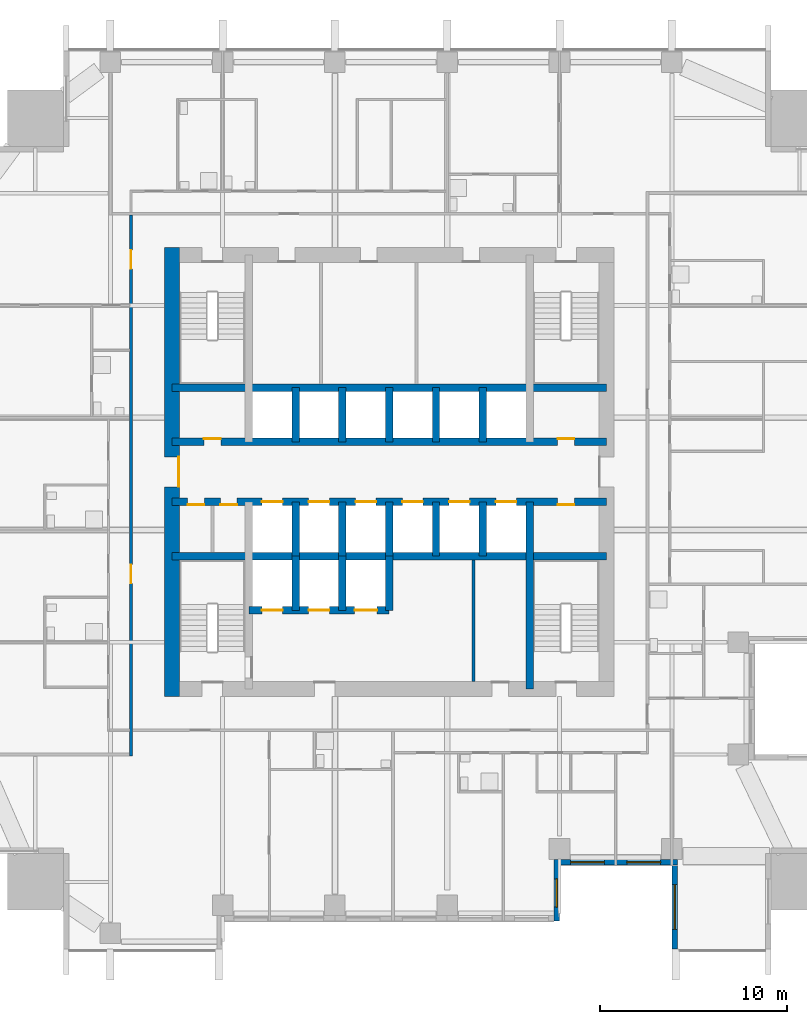
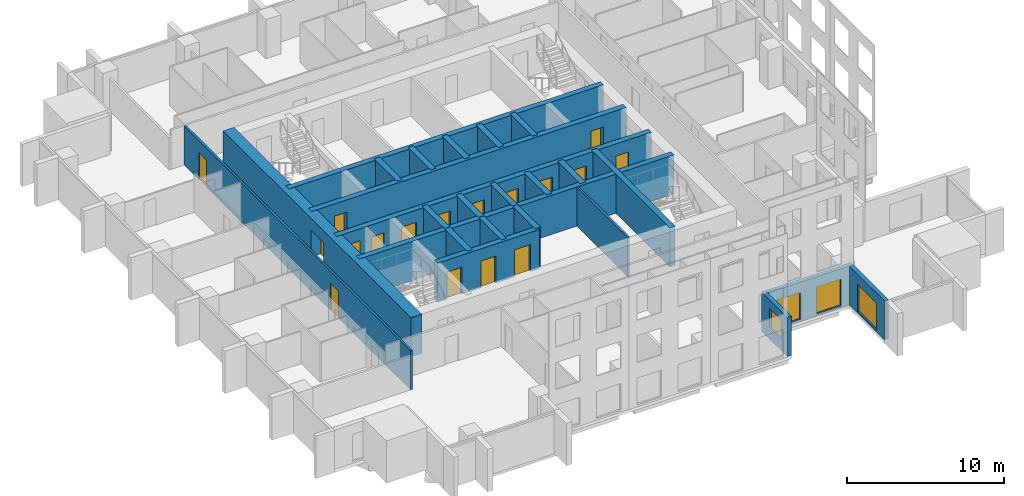
# One storey, part 5 of 13: 25 walls, 17 doors, 4 windows, 21 openings.
"""IFC4 building model written with IfcOpenShell, lengths in metres."""

from ifc_helpers import new_model, si_unit, direction, frame, frame_2d, origin, place, context, subcontext, project, spatial, rectangle, extrude, material, layer, layer_set, type_object, element, fill, save


model = new_model("IFC4")

# Units and contexts
model_context = context("Model", 3, precision=1e-05, world=origin(), true_north=direction((0.0, 1.0)))
body_context = subcontext(model_context, "Body", "Model", "MODEL_VIEW")
ifc_project = project(units=[si_unit("LENGTHUNIT", "METRE"), si_unit("AREAUNIT", "SQUARE_METRE"), si_unit("VOLUMEUNIT", "CUBIC_METRE"), si_unit("PLANEANGLEUNIT", "RADIAN"), si_unit("MASSUNIT", "GRAM", prefix="KILO")], contexts=[model_context])

# Site, building, storey
site_placement = place(None, origin())
site = spatial("IfcSite", under=ifc_project, at=site_placement, CompositionType="ELEMENT")
building_placement = place(site_placement, origin())
building = spatial("IfcBuilding", under=site, at=building_placement, Name="Amberfall Residences", CompositionType="ELEMENT")
storey_placement = place(building_placement, frame((0.0, 0.0, 78.699951171875)))
storey = spatial("IfcBuildingStorey", under=building, at=storey_placement, Name="L20", CompositionType="ELEMENT", Elevation=78.699951171875)

# Wall, opening, window
ifc_material_1 = material(Name="Pale stone cladding on insulated backing", Category="masonry")
ifc_layer_1 = layer(ifc_material_1, 0.300048828125)
ifc_layer_set_1 = layer_set([ifc_layer_1], Name="Bronze clad wall 300")
wall_type_1 = type_object("IfcWallType", Name="Bronze clad wall 300", PredefinedType="SOLIDWALL", material=ifc_layer_set_1)
wall_1_placement = place(storey_placement, frame((83.449951171875, 21.5, 0.0), z_axis=(0.0, 0.0, 1.0), x_axis=(0.0, 1.0, 0.0)))
wall_1 = element("IfcWall", 1, at=wall_1_placement, inside=storey, type_object=wall_type_1, Name="External wall L20 S", PredefinedType="SOLIDWALL", context=body_context, shape_type="SweptSolid", body=[
    extrude(rectangle(XDim=3.300048828125, YDim=0.300048828125, at=frame_2d((1.64990234375, 0.0))), origin(), (0.0, 0.0, 1.0), 3.050048828125),
])
opening_1_placement = place(wall_1_placement, frame((0.75, 0.0, 0.89990234375)))
opening_1 = element("IfcOpeningElement", 2, at=opening_1_placement, cuts=wall_1, Name="Opening WN1", PredefinedType="OPENING", context=body_context, shape_type="SweptSolid", body=[
    extrude(rectangle(XDim=1.5, YDim=1.5, at=frame_2d((0.75, 0.75))), frame((0.0, 0.159912109375, 0.0), z_axis=(0.0, -1.0, 0.0), x_axis=(1.0, 0.0, 0.0)), (0.0, 0.0, 1.0), 0.320068359375),
])
ifc_material_2 = material(Name="Bronze aluminium framed glazing", Category="aluminium")
window_type_1 = type_object("IfcWindowType", Name="Window 1500 x 1500 bronze", PartitioningType="DOUBLE_PANEL_VERTICAL", PredefinedType="WINDOW", material=ifc_material_2)
window_1_placement = place(opening_1_placement, origin())
window_1 = element("IfcWindow", 3, at=window_1_placement, inside=storey, type_object=window_type_1, Name="Window L20 S", OverallHeight=1.5, OverallWidth=1.5, PartitioningType="DOUBLE_PANEL_VERTICAL", PredefinedType="WINDOW", context=body_context, shape_type="SweptSolid", body=[
    extrude(rectangle(XDim=1.5, YDim=1.5, at=frame_2d((0.75, 0.75))), frame((0.0, 0.030029296875, 0.0), z_axis=(0.0, -1.0, 0.0), x_axis=(1.0, 0.0, 0.0)), (0.0, 0.0, 1.0), 0.06005859375),
])
fill(opening_1, window_1)

wall_2_placement = place(storey_placement, frame((89.75, 24.5, 0.0), z_axis=(0.0, 0.0, 1.0), x_axis=(0.0, -1.0, 0.0)))
wall_2 = element("IfcWall", 4, at=wall_2_placement, inside=storey, type_object=wall_type_1, Name="External wall L20 S", PredefinedType="SOLIDWALL", context=body_context, shape_type="SweptSolid", body=[
    extrude(rectangle(XDim=4.5, YDim=0.300048828125, at=frame_2d((2.25, 0.0))), origin(), (0.0, 0.0, 1.0), 3.050048828125),
])
opening_2_placement = place(wall_2_placement, frame((1.050048828125, 0.0, 0.14990234375)))
opening_2 = element("IfcOpeningElement", 5, at=opening_2_placement, cuts=wall_2, Name="Opening WN5", PredefinedType="OPENING", context=body_context, shape_type="SweptSolid", body=[
    extrude(rectangle(XDim=2.39990234375, YDim=2.10009765625, at=frame_2d((1.199951171875, 1.050048828125))), frame((0.0, 0.159912109375, 0.0), z_axis=(0.0, -1.0, 0.0), x_axis=(1.0, 0.0, 0.0)), (0.0, 0.0, 1.0), 0.320068359375),
])
window_type_2 = type_object("IfcWindowType", Name="Glazed opening 2400 x 2100 bronze", PartitioningType="DOUBLE_PANEL_VERTICAL", PredefinedType="WINDOW", material=ifc_material_2)
window_2_placement = place(opening_2_placement, origin())
window_2 = element("IfcWindow", 6, at=window_2_placement, inside=storey, type_object=window_type_2, Name="Window L20 S", OverallHeight=2.10009765625, OverallWidth=2.39990234375, PartitioningType="DOUBLE_PANEL_VERTICAL", PredefinedType="WINDOW", context=body_context, shape_type="SweptSolid", body=[
    extrude(rectangle(XDim=2.39990234375, YDim=2.10009765625, at=frame_2d((1.199951171875, 1.050048828125))), frame((0.0, 0.030029296875, 0.0), z_axis=(0.0, -1.0, 0.0), x_axis=(1.0, 0.0, 0.0)), (0.0, 0.0, 1.0), 0.06005859375),
])
fill(opening_2, window_2)

# Wall, openings, windows
wall_3_placement = place(storey_placement, frame((83.60009765625, 24.64990234375, 0.0), z_axis=(0.0, 0.0, 1.0), x_axis=(1.0, 0.0, 0.0)))
wall_3 = element("IfcWall", 7, at=wall_3_placement, inside=storey, type_object=wall_type_1, Name="Stone wall L20 S", PredefinedType="SOLIDWALL", context=body_context, shape_type="SweptSolid", body=[
    extrude(rectangle(XDim=6.2998046875, YDim=0.300048828125, at=frame_2d((3.14990234375, 0.0))), origin(), (0.0, 0.0, 1.0), 3.050048828125),
])
opening_3_placement = place(wall_3_placement, frame((0.60009765625, 0.0, 0.14990234375)))
opening_3 = element("IfcOpeningElement", 8, at=opening_3_placement, cuts=wall_3, Name="Opening WN6", PredefinedType="OPENING", context=body_context, shape_type="SweptSolid", body=[
    extrude(rectangle(XDim=1.800048828125, YDim=2.10009765625, at=frame_2d((0.89990234375, 1.050048828125))), frame((0.0, 0.159912109375, 0.0), z_axis=(0.0, -1.0, 0.0), x_axis=(1.0, 0.0, 0.0)), (0.0, 0.0, 1.0), 0.320068359375),
])
opening_4_placement = place(wall_3_placement, frame((3.60009765625, 0.0, 0.14990234375)))
opening_4 = element("IfcOpeningElement", 9, at=opening_4_placement, cuts=wall_3, Name="Opening WN6", PredefinedType="OPENING", context=body_context, shape_type="SweptSolid", body=[
    extrude(rectangle(XDim=1.800048828125, YDim=2.10009765625, at=frame_2d((0.89990234375, 1.050048828125))), frame((0.0, 0.159912109375, 0.0), z_axis=(0.0, -1.0, 0.0), x_axis=(1.0, 0.0, 0.0)), (0.0, 0.0, 1.0), 0.320068359375),
])
window_type_3 = type_object("IfcWindowType", Name="Glazed opening 1800 x 2100 bronze", PartitioningType="DOUBLE_PANEL_VERTICAL", PredefinedType="WINDOW", material=ifc_material_2)
window_3_placement = place(opening_3_placement, origin())
window_3 = element("IfcWindow", 10, at=window_3_placement, inside=storey, type_object=window_type_3, Name="Window L20 S", OverallHeight=2.10009765625, OverallWidth=1.800048828125, PartitioningType="DOUBLE_PANEL_VERTICAL", PredefinedType="WINDOW", context=body_context, shape_type="SweptSolid", body=[
    extrude(rectangle(XDim=1.800048828125, YDim=2.10009765625, at=frame_2d((0.89990234375, 1.050048828125))), frame((0.0, 0.030029296875, 0.0), z_axis=(0.0, -1.0, 0.0), x_axis=(1.0, 0.0, 0.0)), (0.0, 0.0, 1.0), 0.06005859375),
])
fill(opening_3, window_3)
window_4_placement = place(opening_4_placement, origin())
window_4 = element("IfcWindow", 11, at=window_4_placement, inside=storey, type_object=window_type_3, Name="Window L20 S", OverallHeight=2.10009765625, OverallWidth=1.800048828125, PartitioningType="DOUBLE_PANEL_VERTICAL", PredefinedType="WINDOW", context=body_context, shape_type="SweptSolid", body=[
    extrude(rectangle(XDim=1.800048828125, YDim=2.10009765625, at=frame_2d((0.89990234375, 1.050048828125))), frame((0.0, 0.030029296875, 0.0), z_axis=(0.0, -1.0, 0.0), x_axis=(1.0, 0.0, 0.0)), (0.0, 0.0, 1.0), 0.06005859375),
])
fill(opening_4, window_4)

# Wall
ifc_material_3 = material(Name="Concrete C70", Category="concrete")
ifc_layer_2 = layer(ifc_material_3, 0.39990234375)
ifc_layer_set_2 = layer_set([ifc_layer_2], Name="Core wall 400 C70")
wall_type_2 = type_object("IfcWallType", Name="Core wall 400 C70", PredefinedType="SHEAR", material=ifc_layer_set_2)
wall_4_placement = place(storey_placement, frame((62.89990234375, 41.0, 0.0), z_axis=(0.0, 0.0, 1.0), x_axis=(1.0, 0.0, 0.0)))
element("IfcWall", 12, at=wall_4_placement, inside=storey, type_object=wall_type_2, Name="Core wall RW4 L20 H75", PredefinedType="SHEAR", context=body_context, shape_type="SweptSolid", body=[
    extrude(rectangle(XDim=23.2001953125, YDim=0.39990234375, at=frame_2d((11.60009765625, 0.0))), origin(), (0.0, 0.0, 1.0), 3.050048828125),
])

# Wall, openings, doors
wall_5_placement = place(storey_placement, frame((62.89990234375, 43.89990234375, 0.0), z_axis=(0.0, 0.0, 1.0), x_axis=(1.0, 0.0, 0.0)))
wall_5 = element("IfcWall", 13, at=wall_5_placement, inside=storey, type_object=wall_type_2, Name="Core wall RW4 L20 H104", PredefinedType="SHEAR", context=body_context, shape_type="SweptSolid", body=[
    extrude(rectangle(XDim=23.2001953125, YDim=0.39990234375, at=frame_2d((11.60009765625, 0.0))), origin(), (0.0, 0.0, 1.0), 3.050048828125),
])
opening_5_placement = place(wall_5_placement, frame((0.824951171875, 0.0, 0.0)))
opening_5 = element("IfcOpeningElement", 14, at=opening_5_placement, cuts=wall_5, Name="Opening RD1", PredefinedType="OPENING", context=body_context, shape_type="SweptSolid", body=[
    extrude(rectangle(XDim=0.89990234375, YDim=2.10009765625, at=frame_2d((0.449951171875, 1.050048828125))), frame((0.0, 0.2099609375, 0.0), z_axis=(0.0, -1.0, 0.0), x_axis=(1.0, 0.0, 0.0)), (0.0, 0.0, 1.0), 0.419921875),
])
opening_6_placement = place(wall_5_placement, frame((2.574951171875, 0.0, 0.0)))
opening_6 = element("IfcOpeningElement", 15, at=opening_6_placement, cuts=wall_5, Name="Opening RD1", PredefinedType="OPENING", context=body_context, shape_type="SweptSolid", body=[
    extrude(rectangle(XDim=0.89990234375, YDim=2.10009765625, at=frame_2d((0.449951171875, 1.050048828125))), frame((0.0, 0.2099609375, 0.0), z_axis=(0.0, -1.0, 0.0), x_axis=(1.0, 0.0, 0.0)), (0.0, 0.0, 1.0), 0.419921875),
])
opening_7_placement = place(wall_5_placement, frame((20.60009765625, 0.0, 0.0)))
opening_7 = element("IfcOpeningElement", 16, at=opening_7_placement, cuts=wall_5, Name="Opening RD1", PredefinedType="OPENING", context=body_context, shape_type="SweptSolid", body=[
    extrude(rectangle(XDim=0.89990234375, YDim=2.10009765625, at=frame_2d((0.449951171875, 1.050048828125))), frame((0.0, 0.2099609375, 0.0), z_axis=(0.0, -1.0, 0.0), x_axis=(1.0, 0.0, 0.0)), (0.0, 0.0, 1.0), 0.419921875),
])
opening_8_placement = place(wall_5_placement, frame((4.800048828125, 0.0, 0.0)))
opening_8 = element("IfcOpeningElement", 17, at=opening_8_placement, cuts=wall_5, Name="Opening LD1", PredefinedType="OPENING", context=body_context, shape_type="SweptSolid", body=[
    extrude(rectangle(XDim=1.10009765625, YDim=2.10009765625, at=frame_2d((0.550048828125, 1.050048828125))), frame((0.0, 0.2099609375, 0.0), z_axis=(0.0, -1.0, 0.0), x_axis=(1.0, 0.0, 0.0)), (0.0, 0.0, 1.0), 0.419921875),
])
opening_9_placement = place(wall_5_placement, frame((7.300048828125, 0.0, 0.0)))
opening_9 = element("IfcOpeningElement", 18, at=opening_9_placement, cuts=wall_5, Name="Opening LD1", PredefinedType="OPENING", context=body_context, shape_type="SweptSolid", body=[
    extrude(rectangle(XDim=1.10009765625, YDim=2.10009765625, at=frame_2d((0.550048828125, 1.050048828125))), frame((0.0, 0.2099609375, 0.0), z_axis=(0.0, -1.0, 0.0), x_axis=(1.0, 0.0, 0.0)), (0.0, 0.0, 1.0), 0.419921875),
])
opening_10_placement = place(wall_5_placement, frame((9.800048828125, 0.0, 0.0)))
opening_10 = element("IfcOpeningElement", 19, at=opening_10_placement, cuts=wall_5, Name="Opening LD1", PredefinedType="OPENING", context=body_context, shape_type="SweptSolid", body=[
    extrude(rectangle(XDim=1.10009765625, YDim=2.10009765625, at=frame_2d((0.550048828125, 1.050048828125))), frame((0.0, 0.2099609375, 0.0), z_axis=(0.0, -1.0, 0.0), x_axis=(1.0, 0.0, 0.0)), (0.0, 0.0, 1.0), 0.419921875),
])
opening_11_placement = place(wall_5_placement, frame((12.300048828125, 0.0, 0.0)))
opening_11 = element("IfcOpeningElement", 20, at=opening_11_placement, cuts=wall_5, Name="Opening LD1", PredefinedType="OPENING", context=body_context, shape_type="SweptSolid", body=[
    extrude(rectangle(XDim=1.10009765625, YDim=2.10009765625, at=frame_2d((0.550048828125, 1.050048828125))), frame((0.0, 0.2099609375, 0.0), z_axis=(0.0, -1.0, 0.0), x_axis=(1.0, 0.0, 0.0)), (0.0, 0.0, 1.0), 0.419921875),
])
opening_12_placement = place(wall_5_placement, frame((14.800048828125, 0.0, 0.0)))
opening_12 = element("IfcOpeningElement", 21, at=opening_12_placement, cuts=wall_5, Name="Opening LD1", PredefinedType="OPENING", context=body_context, shape_type="SweptSolid", body=[
    extrude(rectangle(XDim=1.10009765625, YDim=2.10009765625, at=frame_2d((0.550048828125, 1.050048828125))), frame((0.0, 0.2099609375, 0.0), z_axis=(0.0, -1.0, 0.0), x_axis=(1.0, 0.0, 0.0)), (0.0, 0.0, 1.0), 0.419921875),
])
opening_13_placement = place(wall_5_placement, frame((17.300048828125, 0.0, 0.0)))
opening_13 = element("IfcOpeningElement", 22, at=opening_13_placement, cuts=wall_5, Name="Opening LD1", PredefinedType="OPENING", context=body_context, shape_type="SweptSolid", body=[
    extrude(rectangle(XDim=1.10009765625, YDim=2.10009765625, at=frame_2d((0.550048828125, 1.050048828125))), frame((0.0, 0.2099609375, 0.0), z_axis=(0.0, -1.0, 0.0), x_axis=(1.0, 0.0, 0.0)), (0.0, 0.0, 1.0), 0.419921875),
])
ifc_material_4 = material(Name="Steel fire door set", Category="steel")
door_type_1 = type_object("IfcDoorType", Name="Lift landing door 1100 x 2100", OperationType="DOUBLE_DOOR_SLIDING", PredefinedType="DOOR", material=ifc_material_4)
door_1_placement = place(opening_8_placement, origin())
door_1 = element("IfcDoor", 23, at=door_1_placement, inside=storey, type_object=door_type_1, Name="Landing door LP1 L20", OperationType="DOUBLE_DOOR_SLIDING", OverallHeight=2.10009765625, OverallWidth=1.10009765625, PredefinedType="DOOR", context=body_context, shape_type="SweptSolid", body=[
    extrude(rectangle(XDim=1.10009765625, YDim=2.10009765625, at=frame_2d((0.550048828125, 1.050048828125))), frame((0.0, 0.02490234375, 0.0), z_axis=(0.0, -1.0, 0.0), x_axis=(1.0, 0.0, 0.0)), (0.0, 0.0, 1.0), 0.050048828125),
])
fill(opening_8, door_1)
door_2_placement = place(opening_9_placement, origin())
door_2 = element("IfcDoor", 24, at=door_2_placement, inside=storey, type_object=door_type_1, Name="Landing door LP2 L20", OperationType="DOUBLE_DOOR_SLIDING", OverallHeight=2.10009765625, OverallWidth=1.10009765625, PredefinedType="DOOR", context=body_context, shape_type="SweptSolid", body=[
    extrude(rectangle(XDim=1.10009765625, YDim=2.10009765625, at=frame_2d((0.550048828125, 1.050048828125))), frame((0.0, 0.02490234375, 0.0), z_axis=(0.0, -1.0, 0.0), x_axis=(1.0, 0.0, 0.0)), (0.0, 0.0, 1.0), 0.050048828125),
])
fill(opening_9, door_2)
door_3_placement = place(opening_10_placement, origin())
door_3 = element("IfcDoor", 25, at=door_3_placement, inside=storey, type_object=door_type_1, Name="Landing door LP3 L20", OperationType="DOUBLE_DOOR_SLIDING", OverallHeight=2.10009765625, OverallWidth=1.10009765625, PredefinedType="DOOR", context=body_context, shape_type="SweptSolid", body=[
    extrude(rectangle(XDim=1.10009765625, YDim=2.10009765625, at=frame_2d((0.550048828125, 1.050048828125))), frame((0.0, 0.02490234375, 0.0), z_axis=(0.0, -1.0, 0.0), x_axis=(1.0, 0.0, 0.0)), (0.0, 0.0, 1.0), 0.050048828125),
])
fill(opening_10, door_3)
door_4_placement = place(opening_11_placement, origin())
door_4 = element("IfcDoor", 26, at=door_4_placement, inside=storey, type_object=door_type_1, Name="Landing door LP4 L20", OperationType="DOUBLE_DOOR_SLIDING", OverallHeight=2.10009765625, OverallWidth=1.10009765625, PredefinedType="DOOR", context=body_context, shape_type="SweptSolid", body=[
    extrude(rectangle(XDim=1.10009765625, YDim=2.10009765625, at=frame_2d((0.550048828125, 1.050048828125))), frame((0.0, 0.02490234375, 0.0), z_axis=(0.0, -1.0, 0.0), x_axis=(1.0, 0.0, 0.0)), (0.0, 0.0, 1.0), 0.050048828125),
])
fill(opening_11, door_4)
door_5_placement = place(opening_12_placement, origin())
door_5 = element("IfcDoor", 27, at=door_5_placement, inside=storey, type_object=door_type_1, Name="Landing door LP5 L20", OperationType="DOUBLE_DOOR_SLIDING", OverallHeight=2.10009765625, OverallWidth=1.10009765625, PredefinedType="DOOR", context=body_context, shape_type="SweptSolid", body=[
    extrude(rectangle(XDim=1.10009765625, YDim=2.10009765625, at=frame_2d((0.550048828125, 1.050048828125))), frame((0.0, 0.02490234375, 0.0), z_axis=(0.0, -1.0, 0.0), x_axis=(1.0, 0.0, 0.0)), (0.0, 0.0, 1.0), 0.050048828125),
])
fill(opening_12, door_5)
door_6_placement = place(opening_13_placement, origin())
door_6 = element("IfcDoor", 28, at=door_6_placement, inside=storey, type_object=door_type_1, Name="Landing door LP6 L20", OperationType="DOUBLE_DOOR_SLIDING", OverallHeight=2.10009765625, OverallWidth=1.10009765625, PredefinedType="DOOR", context=body_context, shape_type="SweptSolid", body=[
    extrude(rectangle(XDim=1.10009765625, YDim=2.10009765625, at=frame_2d((0.550048828125, 1.050048828125))), frame((0.0, 0.02490234375, 0.0), z_axis=(0.0, -1.0, 0.0), x_axis=(1.0, 0.0, 0.0)), (0.0, 0.0, 1.0), 0.050048828125),
])
fill(opening_13, door_6)
door_type_2 = type_object("IfcDoorType", Name="Service room door 900 x 2100", OperationType="SINGLE_SWING_LEFT", PredefinedType="DOOR", material=ifc_material_4)
door_7_placement = place(opening_5_placement, origin())
door_7 = element("IfcDoor", 29, at=door_7_placement, inside=storey, type_object=door_type_2, Name="RD1 L20", OperationType="SINGLE_SWING_LEFT", OverallHeight=2.10009765625, OverallWidth=0.89990234375, PredefinedType="DOOR", context=body_context, shape_type="SweptSolid", body=[
    extrude(rectangle(XDim=0.89990234375, YDim=2.10009765625, at=frame_2d((0.449951171875, 1.050048828125))), frame((0.0, -0.1376953125, 0.0), z_axis=(0.0, -1.0, 0.0), x_axis=(1.0, 0.0, 0.0)), (0.0, 0.0, 1.0), 0.050048828125),
])
fill(opening_5, door_7)
door_8_placement = place(opening_6_placement, origin())
door_8 = element("IfcDoor", 30, at=door_8_placement, inside=storey, type_object=door_type_2, Name="RD1 L20", OperationType="SINGLE_SWING_RIGHT", OverallHeight=2.10009765625, OverallWidth=0.89990234375, PredefinedType="DOOR", context=body_context, shape_type="SweptSolid", body=[
    extrude(rectangle(XDim=0.89990234375, YDim=2.10009765625, at=frame_2d((0.449951171875, 1.050048828125))), frame((0.0, -0.1376953125, 0.0), z_axis=(0.0, -1.0, 0.0), x_axis=(1.0, 0.0, 0.0)), (0.0, 0.0, 1.0), 0.050048828125),
])
fill(opening_6, door_8)
door_9_placement = place(opening_7_placement, origin())
door_9 = element("IfcDoor", 31, at=door_9_placement, inside=storey, type_object=door_type_2, Name="RD1 L20", OperationType="SINGLE_SWING_LEFT", OverallHeight=2.10009765625, OverallWidth=0.89990234375, PredefinedType="DOOR", context=body_context, shape_type="SweptSolid", body=[
    extrude(rectangle(XDim=0.89990234375, YDim=2.10009765625, at=frame_2d((0.449951171875, 1.050048828125))), frame((0.0, -0.1376953125, 0.0), z_axis=(0.0, -1.0, 0.0), x_axis=(1.0, 0.0, 0.0)), (0.0, 0.0, 1.0), 0.050048828125),
])
fill(opening_7, door_9)

wall_6_placement = place(storey_placement, frame((62.89990234375, 47.10009765625, 0.0), z_axis=(0.0, 0.0, 1.0), x_axis=(1.0, 0.0, 0.0)))
wall_6 = element("IfcWall", 32, at=wall_6_placement, inside=storey, type_object=wall_type_2, Name="Core wall RW4 L20 H136", PredefinedType="SHEAR", context=body_context, shape_type="SweptSolid", body=[
    extrude(rectangle(XDim=23.2001953125, YDim=0.39990234375, at=frame_2d((11.60009765625, 0.0))), origin(), (0.0, 0.0, 1.0), 3.050048828125),
])
opening_14_placement = place(wall_6_placement, frame((1.699951171875, 0.0, 0.0)))
opening_14 = element("IfcOpeningElement", 33, at=opening_14_placement, cuts=wall_6, Name="Opening RD1", PredefinedType="OPENING", context=body_context, shape_type="SweptSolid", body=[
    extrude(rectangle(XDim=0.89990234375, YDim=2.10009765625, at=frame_2d((0.449951171875, 1.050048828125))), frame((0.0, 0.2099609375, 0.0), z_axis=(0.0, -1.0, 0.0), x_axis=(1.0, 0.0, 0.0)), (0.0, 0.0, 1.0), 0.419921875),
])
opening_15_placement = place(wall_6_placement, frame((20.60009765625, 0.0, 0.0)))
opening_15 = element("IfcOpeningElement", 34, at=opening_15_placement, cuts=wall_6, Name="Opening RD1", PredefinedType="OPENING", context=body_context, shape_type="SweptSolid", body=[
    extrude(rectangle(XDim=0.89990234375, YDim=2.10009765625, at=frame_2d((0.449951171875, 1.050048828125))), frame((0.0, 0.2099609375, 0.0), z_axis=(0.0, -1.0, 0.0), x_axis=(1.0, 0.0, 0.0)), (0.0, 0.0, 1.0), 0.419921875),
])
door_10_placement = place(opening_14_placement, origin())
door_10 = element("IfcDoor", 35, at=door_10_placement, inside=storey, type_object=door_type_2, Name="RD1 L20", OperationType="SINGLE_SWING_LEFT", OverallHeight=2.10009765625, OverallWidth=0.89990234375, PredefinedType="DOOR", context=body_context, shape_type="SweptSolid", body=[
    extrude(rectangle(XDim=0.89990234375, YDim=2.10009765625, at=frame_2d((0.449951171875, 1.050048828125))), frame((0.0, 0.1875, 0.0), z_axis=(0.0, -1.0, 0.0), x_axis=(1.0, 0.0, 0.0)), (0.0, 0.0, 1.0), 0.050048828125),
])
fill(opening_14, door_10)
door_11_placement = place(opening_15_placement, origin())
door_11 = element("IfcDoor", 36, at=door_11_placement, inside=storey, type_object=door_type_2, Name="RD1 L20", OperationType="SINGLE_SWING_LEFT", OverallHeight=2.10009765625, OverallWidth=0.89990234375, PredefinedType="DOOR", context=body_context, shape_type="SweptSolid", body=[
    extrude(rectangle(XDim=0.89990234375, YDim=2.10009765625, at=frame_2d((0.449951171875, 1.050048828125))), frame((0.0, 0.1875, 0.0), z_axis=(0.0, -1.0, 0.0), x_axis=(1.0, 0.0, 0.0)), (0.0, 0.0, 1.0), 0.050048828125),
])
fill(opening_15, door_11)

# Walls
wall_7_placement = place(storey_placement, frame((62.89990234375, 50.0, 0.0), z_axis=(0.0, 0.0, 1.0), x_axis=(1.0, 0.0, 0.0)))
element("IfcWall", 37, at=wall_7_placement, inside=storey, type_object=wall_type_2, Name="Core wall RW4 L20 H165", PredefinedType="SHEAR", context=body_context, shape_type="SweptSolid", body=[
    extrude(rectangle(XDim=23.2001953125, YDim=0.39990234375, at=frame_2d((11.60009765625, 0.0))), origin(), (0.0, 0.0, 1.0), 3.050048828125),
])
wall_8_placement = place(storey_placement, frame((82.0, 33.89990234375, 0.0), z_axis=(0.0, 0.0, 1.0), x_axis=(0.0, 1.0, 0.0)))
element("IfcWall", 38, at=wall_8_placement, inside=storey, type_object=wall_type_2, Name="Core wall RW4 L20 V195S", PredefinedType="SHEAR", context=body_context, shape_type="SweptSolid", body=[
    extrude(rectangle(XDim=10.0, YDim=0.39990234375, at=frame_2d((5.0, 0.0))), origin(), (0.0, 0.0, 1.0), 3.050048828125),
])
for number, where, z_axis, x_axis, name in (
    (39, (69.5, 41.0, 0.0), (0.0, 0.0, 1.0), (0.0, 1.0, 0.0), "Core wall RW4 L20 LPD1"),
    (40, (69.5, 47.10009765625, 0.0), (0.0, 0.0, 1.0), (0.0, 1.0, 0.0), "Core wall RW4 L20 HPD1"),
    (41, (72.0, 41.0, 0.0), (0.0, 0.0, 1.0), (0.0, 1.0, 0.0), "Core wall RW4 L20 LPD2"),
    (42, (72.0, 47.10009765625, 0.0), (0.0, 0.0, 1.0), (0.0, 1.0, 0.0), "Core wall RW4 L20 HPD2"),
    (43, (74.5, 41.0, 0.0), (0.0, 0.0, 1.0), (0.0, 1.0, 0.0), "Core wall RW4 L20 LPD3"),
    (44, (74.5, 47.10009765625, 0.0), (0.0, 0.0, 1.0), (0.0, 1.0, 0.0), "Core wall RW4 L20 HPD3"),
    (45, (77.0, 41.0, 0.0), (0.0, 0.0, 1.0), (0.0, 1.0, 0.0), "Core wall RW4 L20 LPD4"),
    (46, (77.0, 47.10009765625, 0.0), (0.0, 0.0, 1.0), (0.0, 1.0, 0.0), "Core wall RW4 L20 HPD4"),
    (47, (79.5, 41.0, 0.0), (0.0, 0.0, 1.0), (0.0, 1.0, 0.0), "Core wall RW4 L20 LPD5"),
    (48, (79.5, 47.10009765625, 0.0), (0.0, 0.0, 1.0), (0.0, 1.0, 0.0), "Core wall RW4 L20 HPD5"),
):
    element("IfcWall", number, at=place(storey_placement, frame(where, z_axis=z_axis, x_axis=x_axis)), inside=storey, type_object=wall_type_2, Name=name, PredefinedType="SHEAR", context=body_context, shape_type="SweptSolid", body=[
        extrude(rectangle(XDim=2.89990234375, YDim=0.39990234375, at=frame_2d((1.449951171875, 0.0))), origin(), (0.0, 0.0, 1.0), 3.050048828125),
    ])

# Wall, openings, doors
wall_9_placement = place(storey_placement, frame((67.0, 38.10009765625, 0.0), z_axis=(0.0, 0.0, 1.0), x_axis=(1.0, 0.0, 0.0)))
wall_9 = element("IfcWall", 49, at=wall_9_placement, inside=storey, type_object=wall_type_2, Name="Core wall RW4 L20 FFF", PredefinedType="SHEAR", context=body_context, shape_type="SweptSolid", body=[
    extrude(rectangle(XDim=7.5, YDim=0.39990234375, at=frame_2d((3.75, 0.0))), origin(), (0.0, 0.0, 1.0), 3.050048828125),
])
opening_16_placement = place(wall_9_placement, frame((0.699951171875, 0.0, 0.0)))
opening_16 = element("IfcOpeningElement", 50, at=opening_16_placement, cuts=wall_9, Name="Opening LD2", PredefinedType="OPENING", context=body_context, shape_type="SweptSolid", body=[
    extrude(rectangle(XDim=1.10009765625, YDim=2.10009765625, at=frame_2d((0.550048828125, 1.050048828125))), frame((0.0, 0.2099609375, 0.0), z_axis=(0.0, -1.0, 0.0), x_axis=(1.0, 0.0, 0.0)), (0.0, 0.0, 1.0), 0.419921875),
])
opening_17_placement = place(wall_9_placement, frame((3.199951171875, 0.0, 0.0)))
opening_17 = element("IfcOpeningElement", 51, at=opening_17_placement, cuts=wall_9, Name="Opening LD2", PredefinedType="OPENING", context=body_context, shape_type="SweptSolid", body=[
    extrude(rectangle(XDim=1.10009765625, YDim=2.10009765625, at=frame_2d((0.550048828125, 1.050048828125))), frame((0.0, 0.2099609375, 0.0), z_axis=(0.0, -1.0, 0.0), x_axis=(1.0, 0.0, 0.0)), (0.0, 0.0, 1.0), 0.419921875),
])
opening_18_placement = place(wall_9_placement, frame((5.64990234375, 0.0, 0.0)))
opening_18 = element("IfcOpeningElement", 52, at=opening_18_placement, cuts=wall_9, Name="Opening LD3", PredefinedType="OPENING", context=body_context, shape_type="SweptSolid", body=[
    extrude(rectangle(XDim=1.199951171875, YDim=2.10009765625, at=frame_2d((0.60009765625, 1.050048828125))), frame((0.0, 0.2099609375, 0.0), z_axis=(0.0, -1.0, 0.0), x_axis=(1.0, 0.0, 0.0)), (0.0, 0.0, 1.0), 0.419921875),
])
door_type_3 = type_object("IfcDoorType", Name="Firefighting lift landing door 1100 x 2100", OperationType="DOUBLE_DOOR_SLIDING", PredefinedType="DOOR", material=ifc_material_4)
door_12_placement = place(opening_16_placement, origin())
door_12 = element("IfcDoor", 53, at=door_12_placement, inside=storey, type_object=door_type_3, Name="Landing door FF1 L20", OperationType="DOUBLE_DOOR_SLIDING", OverallHeight=2.10009765625, OverallWidth=1.10009765625, PredefinedType="DOOR", context=body_context, shape_type="SweptSolid", body=[
    extrude(rectangle(XDim=1.10009765625, YDim=2.10009765625, at=frame_2d((0.550048828125, 1.050048828125))), frame((0.0, 0.02490234375, 0.0), z_axis=(0.0, -1.0, 0.0), x_axis=(1.0, 0.0, 0.0)), (0.0, 0.0, 1.0), 0.050048828125),
])
fill(opening_16, door_12)
door_13_placement = place(opening_17_placement, origin())
door_13 = element("IfcDoor", 54, at=door_13_placement, inside=storey, type_object=door_type_3, Name="Landing door FF2 L20", OperationType="DOUBLE_DOOR_SLIDING", OverallHeight=2.10009765625, OverallWidth=1.10009765625, PredefinedType="DOOR", context=body_context, shape_type="SweptSolid", body=[
    extrude(rectangle(XDim=1.10009765625, YDim=2.10009765625, at=frame_2d((0.550048828125, 1.050048828125))), frame((0.0, 0.02490234375, 0.0), z_axis=(0.0, -1.0, 0.0), x_axis=(1.0, 0.0, 0.0)), (0.0, 0.0, 1.0), 0.050048828125),
])
fill(opening_17, door_13)
door_type_4 = type_object("IfcDoorType", Name="Service lift landing door 1200 x 2100", OperationType="DOUBLE_DOOR_SLIDING", PredefinedType="DOOR", material=ifc_material_4)
door_14_placement = place(opening_18_placement, origin())
door_14 = element("IfcDoor", 55, at=door_14_placement, inside=storey, type_object=door_type_4, Name="Landing door SL1 L20", OperationType="DOUBLE_DOOR_SLIDING", OverallHeight=2.10009765625, OverallWidth=1.199951171875, PredefinedType="DOOR", context=body_context, shape_type="SweptSolid", body=[
    extrude(rectangle(XDim=1.199951171875, YDim=2.10009765625, at=frame_2d((0.60009765625, 1.050048828125))), frame((0.0, 0.02490234375, 0.0), z_axis=(0.0, -1.0, 0.0), x_axis=(1.0, 0.0, 0.0)), (0.0, 0.0, 1.0), 0.050048828125),
])
fill(opening_18, door_14)

# Walls
for number, where, z_axis, x_axis, name in (
    (56, (69.5, 38.10009765625, 0.0), (0.0, 0.0, 1.0), (0.0, 1.0, 0.0), "Core wall RW4 L20 FFD1"),
    (57, (72.0, 38.10009765625, 0.0), (0.0, 0.0, 1.0), (0.0, 1.0, 0.0), "Core wall RW4 L20 FFD2"),
    (58, (74.5, 38.10009765625, 0.0), (0.0, 0.0, 1.0), (0.0, 1.0, 0.0), "Core wall RW4 L20 FFD3"),
):
    element("IfcWall", number, at=place(storey_placement, frame(where, z_axis=z_axis, x_axis=x_axis)), inside=storey, type_object=wall_type_2, Name=name, PredefinedType="SHEAR", context=body_context, shape_type="SweptSolid", body=[
        extrude(rectangle(XDim=2.89990234375, YDim=0.39990234375, at=frame_2d((1.449951171875, 0.0))), origin(), (0.0, 0.0, 1.0), 3.050048828125),
    ])

# Wall, opening, door
ifc_layer_3 = layer(ifc_material_3, 0.800048828125)
ifc_layer_set_3 = layer_set([ifc_layer_3], Name="Core wall 800 C70")
wall_type_3 = type_object("IfcWallType", Name="Core wall 800 C70", PredefinedType="SHEAR", material=ifc_layer_set_3)
wall_10_placement = place(storey_placement, frame((62.89990234375, 33.5, 0.0), z_axis=(0.0, 0.0, 1.0), x_axis=(0.0, 1.0, 0.0)))
wall_10 = element("IfcWall", 59, at=wall_10_placement, inside=storey, type_object=wall_type_3, Name="Core wall RW3 L20 OW", PredefinedType="SHEAR", context=body_context, shape_type="SweptSolid", body=[
    extrude(rectangle(XDim=24.0, YDim=0.800048828125, at=frame_2d((12.0, 0.0))), origin(), (0.0, 0.0, 1.0), 3.050048828125),
])
opening_19_placement = place(wall_10_placement, frame((11.199951171875, 0.0, 0.0)))
opening_19 = element("IfcOpeningElement", 60, at=opening_19_placement, cuts=wall_10, Name="Opening LB1", PredefinedType="OPENING", context=body_context, shape_type="SweptSolid", body=[
    extrude(rectangle(XDim=1.60009765625, YDim=2.10009765625, at=frame_2d((0.800048828125, 1.050048828125))), frame((0.0, 0.409912109375, 0.0), z_axis=(0.0, -1.0, 0.0), x_axis=(1.0, 0.0, 0.0)), (0.0, 0.0, 1.0), 0.820068359375),
])
door_type_5 = type_object("IfcDoorType", Name="Lift lobby double door 1600 x 2100", OperationType="DOUBLE_DOOR_SINGLE_SWING", PredefinedType="DOOR", material=ifc_material_4)
door_15_placement = place(opening_19_placement, origin())
door_15 = element("IfcDoor", 61, at=door_15_placement, inside=storey, type_object=door_type_5, Name="LB1 L20", OperationType="DOUBLE_DOOR_SINGLE_SWING", OverallHeight=2.10009765625, OverallWidth=1.60009765625, PredefinedType="DOOR", context=body_context, shape_type="SweptSolid", body=[
    extrude(rectangle(XDim=1.60009765625, YDim=2.10009765625, at=frame_2d((0.800048828125, 1.050048828125))), frame((0.0, -0.33740234375, 0.0), z_axis=(0.0, -1.0, 0.0), x_axis=(1.0, 0.0, 0.0)), (0.0, 0.0, 1.0), 0.050048828125),
])
fill(opening_19, door_15)

# Wall, openings, doors
ifc_material_5 = material(Name="Blockwork, plastered", Category="masonry")
ifc_layer_4 = layer(ifc_material_5, 0.14990234375)
ifc_layer_set_4 = layer_set([ifc_layer_4], Name="Flat separating wall 150")
wall_type_4 = type_object("IfcWallType", Name="Flat separating wall 150", PredefinedType="PARTITIONING", material=ifc_layer_set_4)
wall_11_placement = place(storey_placement, frame((60.699951171875, 30.324951171875, 0.0), z_axis=(0.0, 0.0, 1.0), x_axis=(0.0, 1.0, 0.0)))
wall_11 = element("IfcWall", 62, at=wall_11_placement, inside=storey, type_object=wall_type_4, Name="Separating wall 052", PredefinedType="PARTITIONING", context=body_context, shape_type="SweptSolid", body=[
    extrude(rectangle(XDim=28.900146484375, YDim=0.14990234375, at=frame_2d((14.4501953125, 0.0))), origin(), (0.0, 0.0, 1.0), 3.050048828125),
])
opening_20_placement = place(wall_11_placement, frame((9.22509765625, 0.0, 0.0)))
opening_20 = element("IfcOpeningElement", 63, at=opening_20_placement, cuts=wall_11, Name="Opening D40", PredefinedType="OPENING", context=body_context, shape_type="SweptSolid", body=[
    extrude(rectangle(XDim=1.0, YDim=2.10009765625, at=frame_2d((0.5, 1.050048828125))), frame((0.0, 0.0849609375, 0.0), z_axis=(0.0, -1.0, 0.0), x_axis=(1.0, 0.0, 0.0)), (0.0, 0.0, 1.0), 0.169921875),
])
opening_21_placement = place(wall_11_placement, frame((26.02490234375, 0.0, 0.0)))
opening_21 = element("IfcOpeningElement", 64, at=opening_21_placement, cuts=wall_11, Name="Opening D40", PredefinedType="OPENING", context=body_context, shape_type="SweptSolid", body=[
    extrude(rectangle(XDim=1.0, YDim=2.10009765625, at=frame_2d((0.5, 1.050048828125))), frame((0.0, 0.0849609375, 0.0), z_axis=(0.0, -1.0, 0.0), x_axis=(1.0, 0.0, 0.0)), (0.0, 0.0, 1.0), 0.169921875),
])
ifc_material_6 = material(Name="Timber, fire-rated", Category="wood")
door_type_6 = type_object("IfcDoorType", Name="Flat entrance door FD60 1000 x 2100", OperationType="SINGLE_SWING_LEFT", PredefinedType="DOOR", material=ifc_material_6)
door_16_placement = place(opening_20_placement, origin())
door_16 = element("IfcDoor", 65, at=door_16_placement, inside=storey, type_object=door_type_6, Name="Door 2007 entrance", OperationType="SINGLE_SWING_LEFT", OverallHeight=2.10009765625, OverallWidth=1.0, PredefinedType="DOOR", context=body_context, shape_type="SweptSolid", body=[
    extrude(rectangle(XDim=1.0, YDim=2.10009765625, at=frame_2d((0.5, 1.050048828125))), frame((0.0, 0.02490234375, 0.0), z_axis=(0.0, -1.0, 0.0), x_axis=(1.0, 0.0, 0.0)), (0.0, 0.0, 1.0), 0.050048828125),
])
fill(opening_20, door_16)
door_17_placement = place(opening_21_placement, origin())
door_17 = element("IfcDoor", 66, at=door_17_placement, inside=storey, type_object=door_type_6, Name="Door 2008 entrance", OperationType="SINGLE_SWING_LEFT", OverallHeight=2.10009765625, OverallWidth=1.0, PredefinedType="DOOR", context=body_context, shape_type="SweptSolid", body=[
    extrude(rectangle(XDim=1.0, YDim=2.10009765625, at=frame_2d((0.5, 1.050048828125))), frame((0.0, 0.02490234375, 0.0), z_axis=(0.0, -1.0, 0.0), x_axis=(1.0, 0.0, 0.0)), (0.0, 0.0, 1.0), 0.050048828125),
])
fill(opening_21, door_17)

# Wall
ifc_material_7 = material(Name="Concrete blockwork", Category="masonry")
ifc_layer_5 = layer(ifc_material_7, 0.14990234375)
ifc_layer_set_5 = layer_set([ifc_layer_5], Name="Riser wall 150")
wall_type_5 = type_object("IfcWallType", Name="Riser wall 150", PredefinedType="PLUMBINGWALL", material=ifc_layer_set_5)
wall_12_placement = place(storey_placement, frame((79.0, 34.300048828125, 0.0), z_axis=(0.0, 0.0, 1.0), x_axis=(0.0, 1.0, 0.0)))
element("IfcWall", 67, at=wall_12_placement, inside=storey, type_object=wall_type_5, Name="L20 core wall PX", PredefinedType="PLUMBINGWALL", context=body_context, shape_type="SweptSolid", body=[
    extrude(rectangle(XDim=6.5, YDim=0.14990234375, at=frame_2d((3.25, 0.0))), origin(), (0.0, 0.0, 1.0), 3.050048828125),
])

save(model, "model.ifc")
